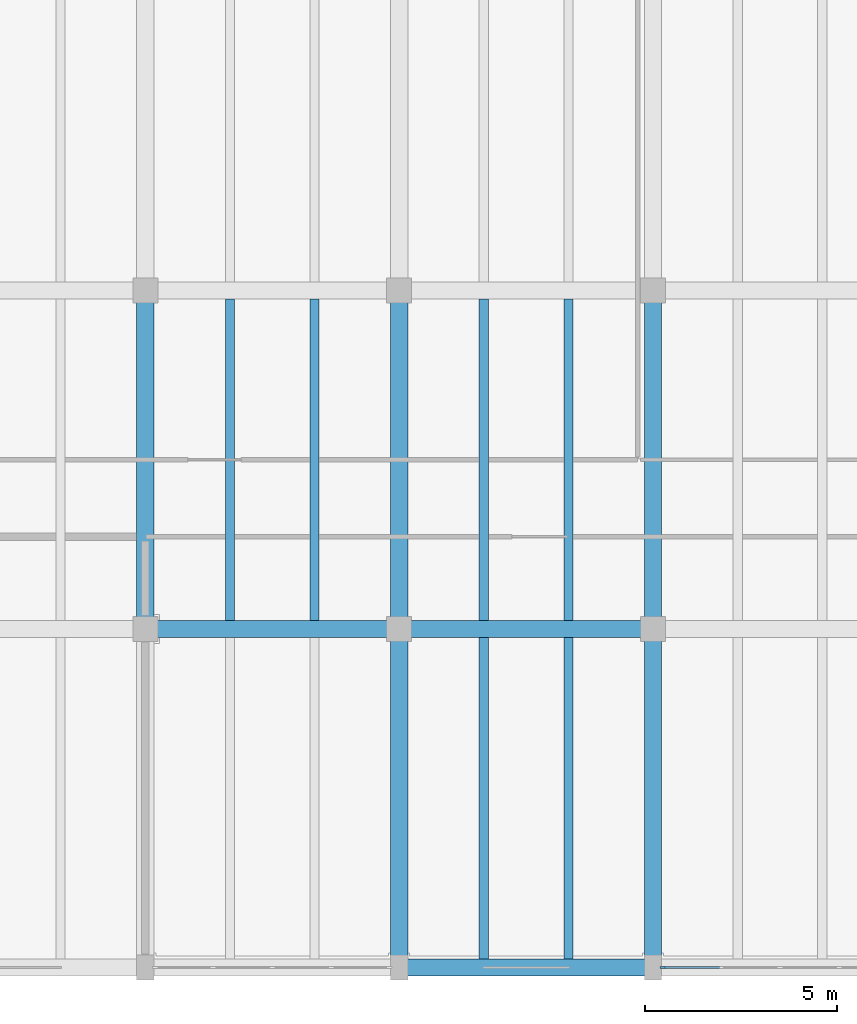
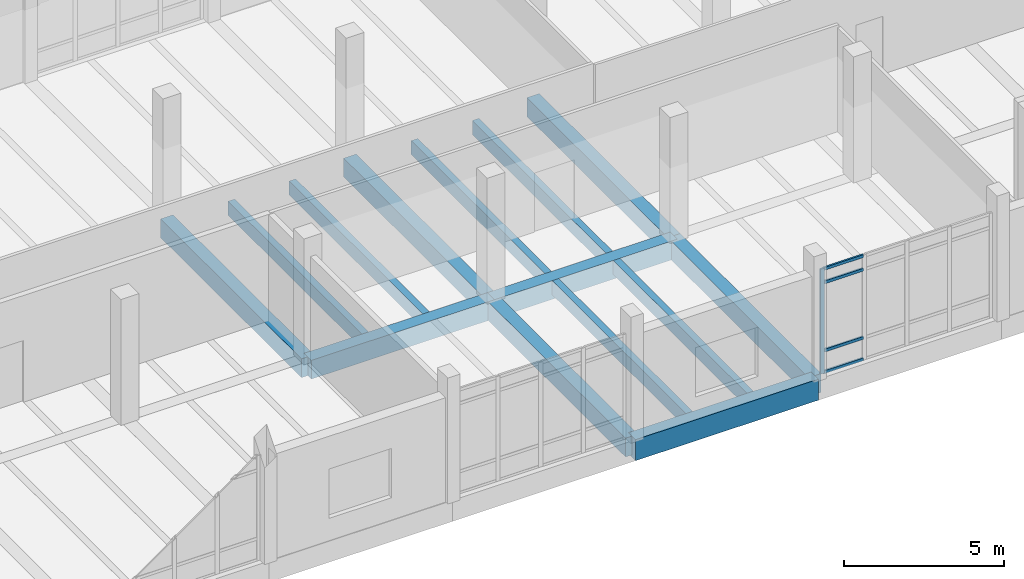
# One storey, part 24 of 76: 14 beams, 5 members, 1 element without a shape of its own.
"""IFC4 building model written with IfcOpenShell, lengths in metres."""

from ifc_helpers import new_model, si_unit, direction, frame, origin, origin_2d, place, context, subcontext, project, spatial, rectangle, extrude, material, material_profile, profile_set, type_object, element, aggregate, save


model = new_model("IFC4")

# Units and contexts
model_context = context("Model", 3, precision=1e-05, world=origin(), true_north=direction((0.0, 1.0)))
body_context = subcontext(model_context, "Body", "Model", "MODEL_VIEW")
ifc_project = project(units=[si_unit("LENGTHUNIT", "METRE"), si_unit("AREAUNIT", "SQUARE_METRE"), si_unit("VOLUMEUNIT", "CUBIC_METRE"), si_unit("PLANEANGLEUNIT", "RADIAN"), si_unit("MASSUNIT", "GRAM", prefix="KILO")], contexts=[model_context])

# Site, building, storey
site_placement = place(None, origin())
site = spatial("IfcSite", under=ifc_project, at=site_placement, CompositionType="ELEMENT")
building_placement = place(site_placement, origin())
building = spatial("IfcBuilding", under=site, at=building_placement, Name="Dornvale Research Institute", CompositionType="ELEMENT")
storey_placement = place(building_placement, frame((0.0, 0.0, 15.0)))
storey = spatial("IfcBuildingStorey", under=building, at=storey_placement, Name="L03", CompositionType="ELEMENT", Elevation=15.0)

# Beams
ifc_material_1 = material(Name="Concrete f'c 45 MPa (C35/45)", Category="concrete")
ifc_material_profile_1 = material_profile(ifc_material_1, rectangle(XDim=0.449951171875, YDim=0.715087890625, at=origin_2d()), Name="RC 450x715")
ifc_profile_set_1 = profile_set([ifc_material_profile_1], Name="Concrete f'c 45 MPa (C35/45)")
beam_type_1 = type_object("IfcBeamType", Name="Beam_RC450x715_Lab", PredefinedType="BEAM", material=ifc_profile_set_1)
beam_1_placement = place(storey_placement, frame((145.199951171875, 8.800048828125, -0.357421875), z_axis=(1.0, 0.0, 0.0), x_axis=(0.0, 1.0, 0.0)))
element("IfcBeam", 1, at=beam_1_placement, inside=storey, type_object=beam_type_1, Name="L03 primary girder #998", PredefinedType="BEAM", context=body_context, shape_type="SweptSolid", body=[
    extrude(rectangle(XDim=0.449951171875, YDim=0.715087890625, at=origin_2d()), origin(), (0.0, 0.0, 1.0), 6.60009765625),
])
beam_2_placement = place(storey_placement, frame((151.800048828125, 8.800048828125, -0.357421875), z_axis=(1.0, 0.0, 0.0), x_axis=(0.0, 1.0, 0.0)))
element("IfcBeam", 2, at=beam_2_placement, inside=storey, type_object=beam_type_1, Name="L03 primary girder #999", PredefinedType="BEAM", context=body_context, shape_type="SweptSolid", body=[
    extrude(rectangle(XDim=0.449951171875, YDim=0.715087890625, at=origin_2d()), origin(), (0.0, 0.0, 1.0), 6.599853515625),
])
for number, where, z_axis, x_axis, name in (
    (3, (145.199951171875, 8.800048828125, -0.357421875), (0.0, 1.0, 0.0), (-1.0, 0.0, 0.0), "L03 transverse girder #1048"),
    (4, (151.800048828125, 0.0, -0.357421875), (0.0, 1.0, 0.0), (-1.0, 0.0, 0.0), "L03 transverse girder #1050"),
    (5, (151.800048828125, 8.800048828125, -0.357421875), (0.0, 1.0, 0.0), (-1.0, 0.0, 0.0), "L03 transverse girder #1051"),
    (6, (158.39990234375, 0.0, -0.357421875), (0.0, 1.0, 0.0), (-1.0, 0.0, 0.0), "L03 transverse girder #1053"),
    (7, (158.39990234375, 8.800048828125, -0.357421875), (0.0, 1.0, 0.0), (-1.0, 0.0, 0.0), "L03 transverse girder #1054"),
):
    element("IfcBeam", number, at=place(storey_placement, frame(where, z_axis=z_axis, x_axis=x_axis)), inside=storey, type_object=beam_type_1, Name=name, PredefinedType="BEAM", context=body_context, shape_type="SweptSolid", body=[
        extrude(rectangle(XDim=0.449951171875, YDim=0.715087890625, at=origin_2d()), origin(), (0.0, 0.0, 1.0), 8.800048828125),
    ])
ifc_material_2 = material(Name="Concrete f'c 45 MPa (C35/45)", Category="concrete")
ifc_material_profile_2 = material_profile(ifc_material_2, rectangle(XDim=0.239990234375, YDim=0.534912109375, at=origin_2d()), Name="RC 240x535")
ifc_profile_set_2 = profile_set([ifc_material_profile_2], Name="Concrete f'c 45 MPa (C35/45)")
beam_type_2 = type_object("IfcBeamType", Name="Joist_RC240x535_Waffle", PredefinedType="JOIST", material=ifc_profile_set_2)
for number, where, z_axis, x_axis, name in (
    (8, (147.39990234375, 9.02490234375, -0.267578125), (0.0, 1.0, 0.0), (-1.0, 0.0, 0.0), "L03 laboratory waffle joist #529"),
    (9, (149.60009765625, 9.02490234375, -0.267578125), (0.0, 1.0, 0.0), (-1.0, 0.0, 0.0), "L03 laboratory waffle joist #530"),
):
    element("IfcBeam", number, at=place(storey_placement, frame(where, z_axis=z_axis, x_axis=x_axis)), inside=storey, type_object=beam_type_2, Name=name, PredefinedType="JOIST", context=body_context, shape_type="SweptSolid", body=[
        extrude(rectangle(XDim=0.239990234375, YDim=0.534912109375, at=origin_2d()), origin(), (0.0, 0.0, 1.0), 8.35009765625),
    ])
for number, where, z_axis, x_axis, name in (
    (10, (154.0, 0.22509765625, -0.267578125), (0.0, 1.0, 0.0), (-1.0, 0.0, 0.0), "L03 laboratory waffle joist #533"),
    (11, (156.199951171875, 0.22509765625, -0.267578125), (0.0, 1.0, 0.0), (-1.0, 0.0, 0.0), "L03 laboratory waffle joist #534"),
):
    element("IfcBeam", number, at=place(storey_placement, frame(where, z_axis=z_axis, x_axis=x_axis)), inside=storey, type_object=beam_type_2, Name=name, PredefinedType="JOIST", context=body_context, shape_type="SweptSolid", body=[
        extrude(rectangle(XDim=0.239990234375, YDim=0.534912109375, at=origin_2d()), origin(), (0.0, 0.0, 1.0), 8.349853515625),
    ])
for number, where, z_axis, x_axis, name in (
    (12, (154.0, 9.02490234375, -0.267578125), (0.0, 1.0, 0.0), (-1.0, 0.0, 0.0), "L03 laboratory waffle joist #535"),
    (13, (156.199951171875, 9.02490234375, -0.267578125), (0.0, 1.0, 0.0), (-1.0, 0.0, 0.0), "L03 laboratory waffle joist #536"),
):
    element("IfcBeam", number, at=place(storey_placement, frame(where, z_axis=z_axis, x_axis=x_axis)), inside=storey, type_object=beam_type_2, Name=name, PredefinedType="JOIST", context=body_context, shape_type="SweptSolid", body=[
        extrude(rectangle(XDim=0.239990234375, YDim=0.534912109375, at=origin_2d()), origin(), (0.0, 0.0, 1.0), 8.35009765625),
    ])

# Curtain wall, member
ifc_material_3 = material(Name="Low-E Argon Double Insulating Glazing Unit", Category="glass")
curtain_wall_type = type_object("IfcCurtainWallType", Name="UnitisedCurtainWall_V3_6150x4000", PredefinedType="USERDEFINED", material=ifc_material_3)
curtain_wall_placement = place(storey_placement, origin())
curtain_wall = element("IfcCurtainWall", 14, at=curtain_wall_placement, inside=storey, type_object=curtain_wall_type, Name="L03 V3 unitised curtain wall CW-06 #61", ObjectType="UNITISED CURTAIN WALL", PredefinedType="USERDEFINED")
ifc_material_4 = material(Name="Anodized Aluminum AA 6063-T6 Thermally Broken Frame", Category="aluminium")
ifc_material_profile_3 = material_profile(ifc_material_4, rectangle(XDim=0.06494140625, YDim=0.14990234375, at=origin_2d()), Name="ALU MULLION 65x150")
ifc_profile_set_3 = profile_set([ifc_material_profile_3], Name="Anodized Aluminum AA 6063-T6 Thermally Broken Frame")
member_type_1 = type_object("IfcMemberType", Name="Mullion_CW_65x150", PredefinedType="MULLION", material=ifc_profile_set_3)
member_1_placement = place(storey_placement, frame((158.657470703125, 0.0, 0.0), z_axis=(0.0, 0.0, 1.0), x_axis=(0.0, -1.0, 0.0)))
member_1 = element("IfcMember", 15, at=member_1_placement, type_object=member_type_1, Name="CW-06 mullion 5", PredefinedType="MULLION", context=body_context, shape_type="SweptSolid", body=[
    extrude(rectangle(XDim=0.06494140625, YDim=0.14990234375, at=origin_2d()), origin(), (0.0, 0.0, 1.0), 4.0),
])

# Beam
ifc_material_5 = material(Name="Concrete f'c 45 MPa (C35/45)", Category="concrete")
ifc_material_profile_4 = material_profile(ifc_material_5, rectangle(XDim=0.449951171875, YDim=0.800048828125, at=origin_2d()), Name="RC 450x800")
ifc_profile_set_4 = profile_set([ifc_material_profile_4], Name="Concrete f'c 45 MPa (C35/45)")
beam_type_3 = type_object("IfcBeamType", Name="Spandrel_RC450x800_Ext", PredefinedType="SPANDREL", material=ifc_profile_set_4)
beam_3_placement = place(storey_placement, frame((151.800048828125, 0.0, -0.39990234375), z_axis=(1.0, 0.0, 0.0), x_axis=(0.0, 1.0, 0.0)))
element("IfcBeam", 16, at=beam_3_placement, inside=storey, type_object=beam_type_3, Name="L03 perimeter spandrel #987", PredefinedType="SPANDREL", context=body_context, shape_type="SweptSolid", body=[
    extrude(rectangle(XDim=0.449951171875, YDim=0.800048828125, at=origin_2d()), origin(), (0.0, 0.0, 1.0), 6.599853515625),
])

# Member
ifc_material_6 = material(Name="Anodized Aluminum AA 6063-T6 Thermally Broken Frame", Category="aluminium")
ifc_material_profile_5 = material_profile(ifc_material_6, rectangle(XDim=0.06494140625, YDim=0.110107421875, at=origin_2d()), Name="ALU TRANSOM 65x110")
ifc_profile_set_5 = profile_set([ifc_material_profile_5], Name="Anodized Aluminum AA 6063-T6 Thermally Broken Frame")
member_type_2 = type_object("IfcMemberType", Name="Transom_CW_65x110", PredefinedType="USERDEFINED", material=ifc_profile_set_5)
member_2_placement = place(storey_placement, frame((160.1298828125, 0.0, 0.032470703125), z_axis=(-1.0, 0.0, 0.0), x_axis=(0.0, -1.0, 0.0)))
member_2 = element("IfcMember", 17, at=member_2_placement, type_object=member_type_2, Name="CW-06 transom 4.1", ObjectType="TRANSOM", PredefinedType="USERDEFINED", context=body_context, shape_type="SweptSolid", body=[
    extrude(rectangle(XDim=0.06494140625, YDim=0.110107421875, at=origin_2d()), origin(), (0.0, 0.0, 1.0), 1.43994140625),
])

member_3_placement = place(storey_placement, frame((160.1298828125, 0.0, 0.85009765625), z_axis=(-1.0, 0.0, 0.0), x_axis=(0.0, -1.0, 0.0)))
member_3 = element("IfcMember", 18, at=member_3_placement, type_object=member_type_2, Name="CW-06 transom 4.2", ObjectType="TRANSOM", PredefinedType="USERDEFINED", context=body_context, shape_type="SweptSolid", body=[
    extrude(rectangle(XDim=0.06494140625, YDim=0.110107421875, at=origin_2d()), origin(), (0.0, 0.0, 1.0), 1.43994140625),
])

member_4_placement = place(storey_placement, frame((160.1298828125, 0.0, 3.449951171875), z_axis=(-1.0, 0.0, 0.0), x_axis=(0.0, -1.0, 0.0)))
member_4 = element("IfcMember", 19, at=member_4_placement, type_object=member_type_2, Name="CW-06 transom 4.3", ObjectType="TRANSOM", PredefinedType="USERDEFINED", context=body_context, shape_type="SweptSolid", body=[
    extrude(rectangle(XDim=0.06494140625, YDim=0.110107421875, at=origin_2d()), origin(), (0.0, 0.0, 1.0), 1.43994140625),
])

member_5_placement = place(storey_placement, frame((160.1298828125, 0.0, 3.967529296875), z_axis=(-1.0, 0.0, 0.0), x_axis=(0.0, -1.0, 0.0)))
member_5 = element("IfcMember", 20, at=member_5_placement, type_object=member_type_2, Name="CW-06 transom 4.4", ObjectType="TRANSOM", PredefinedType="USERDEFINED", context=body_context, shape_type="SweptSolid", body=[
    extrude(rectangle(XDim=0.06494140625, YDim=0.110107421875, at=origin_2d()), origin(), (0.0, 0.0, 1.0), 1.43994140625),
])

aggregate(curtain_wall, [member_1, member_2, member_3, member_4, member_5])

save(model, "model.ifc")
